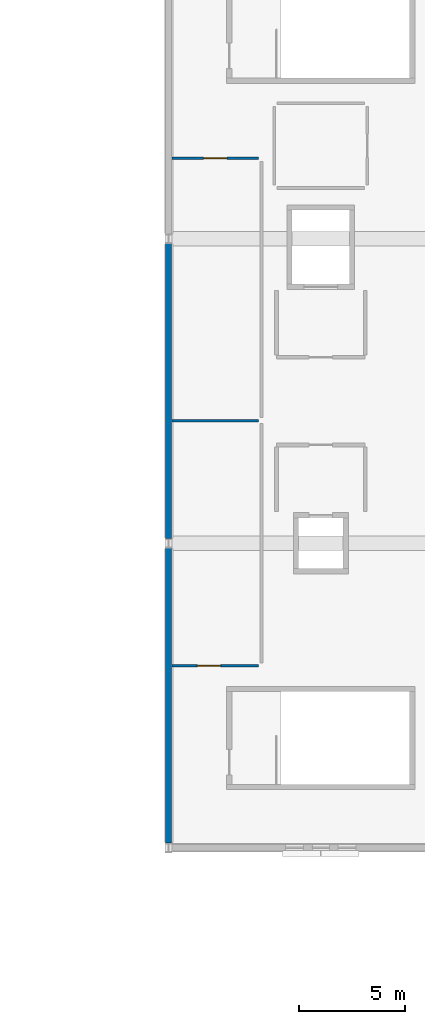
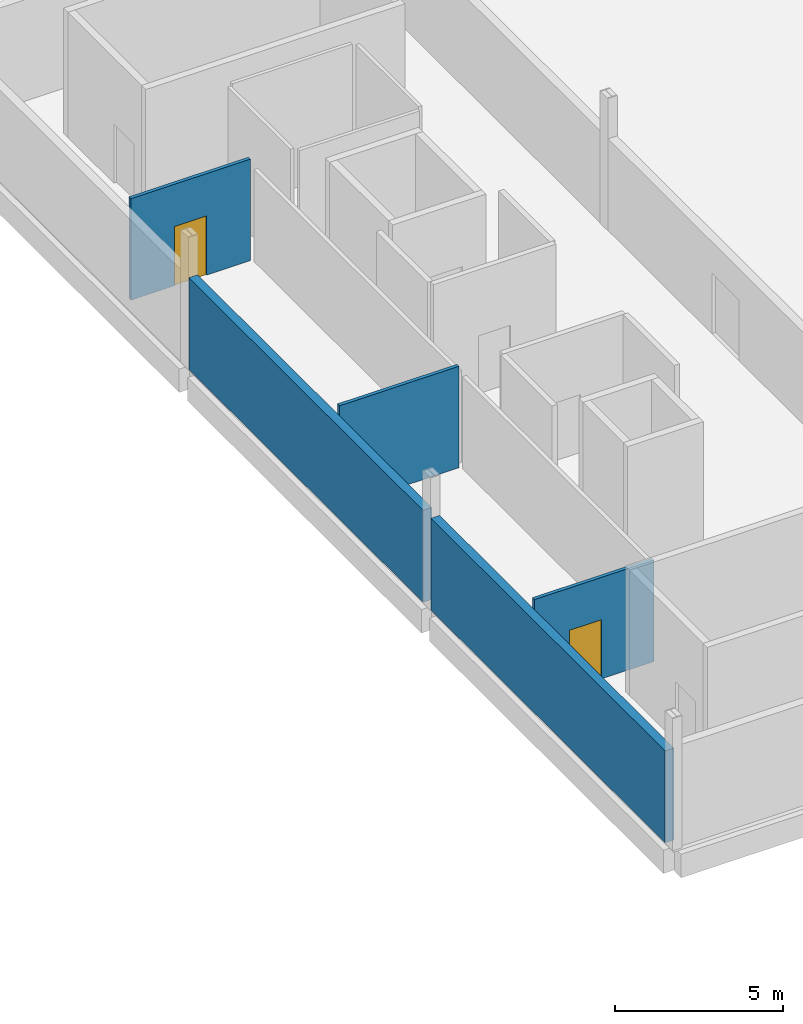
# One storey, part 87 of 116: 5 walls, 2 doors, 2 openings.
"""IFC4 building model written with IfcOpenShell, lengths in metres."""

import ifcopenshell
import ifcopenshell.guid

model = None  # the IFC model being written
_history = None  # IfcOwnerHistory: only IFC2X3 demands one
_inside = {}  # id of a spatial element -> (the spatial element, [elements in it])
_under = {}  # id of a project, library or spatial element -> (it, [spatial elements below it])
_declared = {}  # id of a project -> (the project, [libraries it declares])
_typed = {}  # id of a type object -> (the type object, [elements of that type])
_made_of = {}  # id of a material, layer set ... -> (it, [elements and type objects made of it])


def new_model(schema):
    """Start an empty IFC model of exactly this schema.

    Asked for "IFC4X3", IfcOpenShell would pick the latest addendum, in which some entities
    have other attributes; the version numbers below select the first issue.
    IFC2X3 requires an IfcOwnerHistory on every rooted entity: one is made here for all.
    """
    global model, _history
    if schema == "IFC4X3":
        model = ifcopenshell.file(schema_version=(4, 3, 0, 0))
    else:
        model = ifcopenshell.file(schema=schema)
    _inside.clear()
    _under.clear()
    _declared.clear()
    _typed.clear()
    _made_of.clear()
    _history = None
    if model.schema == "IFC2X3":
        org = make("IfcOrganization", Name="unknown")
        user = make(
            "IfcPersonAndOrganization",
            ThePerson=make("IfcPerson", FamilyName="unknown"),
            TheOrganization=org,
        )
        app = make(
            "IfcApplication",
            ApplicationDeveloper=org,
            Version="unknown",
            ApplicationFullName="unknown",
            ApplicationIdentifier="unknown",
        )
        _history = make(
            "IfcOwnerHistory",
            OwningUser=user,
            OwningApplication=app,
            ChangeAction="ADDED",
            CreationDate=0,
        )
    return model


def make(cls, **values):
    """One entity of the class cls with the attributes given. An attribute that is None is left unset."""
    return model.create_entity(
        cls, **{name: value for name, value in values.items() if value is not None}
    )


def rooted(cls, **values):
    """An entity with a GlobalId (a new one), such as an element, a storey or a relation."""
    return make(cls, GlobalId=ifcopenshell.guid.new(), OwnerHistory=_history, **values)


def si_unit(unit_type, name, prefix=None):
    """IfcSIUnit, for example si_unit("LENGTHUNIT", "METRE", prefix="MILLI")."""
    return make("IfcSIUnit", UnitType=unit_type, Prefix=prefix, Name=name)


def assignment(units):
    """IfcUnitAssignment: the units of a project."""
    return None if units is None else make("IfcUnitAssignment", Units=units)


def point(xyz):
    """IfcCartesianPoint."""
    return None if xyz is None else make("IfcCartesianPoint", Coordinates=xyz)


def direction(xyz):
    """IfcDirection."""
    return None if xyz is None else make("IfcDirection", DirectionRatios=xyz)


def frame(location, z_axis=None, x_axis=None):
    """IfcAxis2Placement3D, a coordinate frame: its origin and axes. An axis left out is left unset."""
    return make(
        "IfcAxis2Placement3D",
        Location=point(location),
        Axis=direction(z_axis),
        RefDirection=direction(x_axis),
    )


def frame_2d(location, x_axis=None):
    """IfcAxis2Placement2D, a coordinate frame in the plane: its origin and x axis."""
    return make(
        "IfcAxis2Placement2D", Location=point(location), RefDirection=direction(x_axis)
    )


def origin():
    """The frame at (0, 0, 0) with its axes left unset."""
    return frame((0.0, 0.0, 0.0))


def place(relative_to, where):
    """IfcLocalPlacement: puts the frame where relative to a parent placement (None: the world)."""
    return make(
        "IfcLocalPlacement", PlacementRelTo=relative_to, RelativePlacement=where
    )


def context(
    kind, dimensions, precision=None, world=None, true_north=None, identifier=None
):
    """IfcGeometricRepresentationContext, for example the 3D "Model" context."""
    return make(
        "IfcGeometricRepresentationContext",
        ContextIdentifier=identifier,
        ContextType=kind,
        CoordinateSpaceDimension=dimensions,
        Precision=precision,
        WorldCoordinateSystem=world,
        TrueNorth=true_north,
    )


def subcontext(parent, identifier, kind, view, scale=None):
    """IfcGeometricRepresentationSubContext, for example "Body" below "Model"."""
    return make(
        "IfcGeometricRepresentationSubContext",
        ContextIdentifier=identifier,
        ContextType=kind,
        ParentContext=parent,
        TargetScale=scale,
        TargetView=view,
    )


def project(units=None, contexts=None):
    """IfcProject with its units and contexts."""
    return rooted(
        "IfcProject",
        Name="project",
        RepresentationContexts=contexts,
        UnitsInContext=assignment(units),
    )


def spatial(cls, under=None, at=None, **own):
    """A site, building, storey or space (cls), placed at a placement, below another one or the project."""
    s = rooted(cls, ObjectPlacement=at, **own)
    if under is not None:
        _under.setdefault(under.id(), (under, []))[1].append(s)
    return s


def profile(cls, at=None, kind="AREA", **sizes):
    """A parametric profile (cls). Its sizes go by their IFC names, for example OverallWidth=200.0."""
    return make(cls, ProfileType=kind, Position=at, **sizes)


def rectangle(**sizes):
    """IfcRectangleProfileDef."""
    return profile("IfcRectangleProfileDef", **sizes)


def extrude(swept, where, along, depth):
    """IfcExtrudedAreaSolid: the profile swept, set in the frame where, extruded along a direction by depth."""
    return make(
        "IfcExtrudedAreaSolid",
        SweptArea=swept,
        Position=where,
        ExtrudedDirection=direction(along),
        Depth=depth,
    )


def shape(context_of_items, identifier, shape_type, items):
    """IfcShapeRepresentation: the items that make up one representation, for example the "Body"."""
    return make(
        "IfcShapeRepresentation",
        ContextOfItems=context_of_items,
        RepresentationIdentifier=identifier,
        RepresentationType=shape_type,
        Items=items,
    )


def material(Name=None, Category=None):
    """IfcMaterial."""
    return make("IfcMaterial", Name=Name, Category=Category)


def layer(
    of_material, thickness, ventilated=None, Name=None, Category=None, Priority=None
):
    """IfcMaterialLayer: one layer of a wall or slab, of a material (None: an air gap)."""
    return make(
        "IfcMaterialLayer",
        Material=of_material,
        LayerThickness=thickness,
        IsVentilated=ventilated,
        Name=Name,
        Category=Category,
        Priority=Priority,
    )


def layer_set(layers, Name=None):
    """IfcMaterialLayerSet."""
    return make("IfcMaterialLayerSet", MaterialLayers=layers, LayerSetName=Name)


def made_of(thing, what):
    """Note that an element or type object is made of a material, layer set ...; save() writes the relation."""
    if what is not None:
        _made_of.setdefault(what.id(), (what, []))[1].append(thing)
    return thing


def type_object(cls, material=None, **own):
    """A type object (cls), such as IfcWallType, which elements share."""
    return made_of(rooted(cls, **own), material)


def element(
    cls,
    number,
    at=None,
    inside=None,
    cuts=None,
    type_object=None,
    material=None,
    context=None,
    identifier="Body",
    shape_type=None,
    held_by="IfcProductDefinitionShape",
    body=None,
    shapes=None,
    **own,
):
    """One element of the class cls, such as IfcWall. Its Tag is "e" and its number.

    at: its placement. inside: the storey or other place that contains it. cuts: it is an
    opening in that element (IfcRelVoidsElement). A single representation is given by context,
    identifier, shape_type and body (its items); several are given by shapes. held_by: the class
    of the entity that holds the representations. save() writes the other relations.
    """
    e = rooted(cls, Tag="e%d" % number, ObjectPlacement=at, **own)
    if body is not None:
        shapes = [shape(context, identifier, shape_type, body)]
    if shapes is not None:
        e.Representation = make(held_by, Representations=shapes)
    if inside is not None:
        _inside.setdefault(inside.id(), (inside, []))[1].append(e)
    if cuts is not None:
        rooted(
            "IfcRelVoidsElement", RelatingBuildingElement=cuts, RelatedOpeningElement=e
        )
    if type_object is not None:
        _typed.setdefault(type_object.id(), (type_object, []))[1].append(e)
    return made_of(e, material)


def fill(opening, filler):
    """IfcRelFillsElement: the door or window that sits in an opening."""
    return rooted(
        "IfcRelFillsElement",
        RelatingOpeningElement=opening,
        RelatedBuildingElement=filler,
    )


def aggregate(whole, parts):
    """IfcRelAggregates: a whole, such as a stair, and the parts it consists of."""
    return rooted("IfcRelAggregates", RelatingObject=whole, RelatedObjects=parts)


def save(model, path):
    """Write the relations noted so far, then the file.

    IfcRelAggregates (storeys below a building ...), IfcRelContainedInSpatialStructure (elements
    in a storey), IfcRelDefinesByType, IfcRelAssociatesMaterial and IfcRelDeclares: one each for
    every whole, place, type object, material and project.
    """
    for whole, parts in _under.values():
        aggregate(whole, parts)
    for where, things in _inside.values():
        rooted(
            "IfcRelContainedInSpatialStructure",
            RelatedElements=things,
            RelatingStructure=where,
        )
    for kind, things in _typed.values():
        rooted("IfcRelDefinesByType", RelatedObjects=things, RelatingType=kind)
    for what, things in _made_of.values():
        rooted("IfcRelAssociatesMaterial", RelatedObjects=things, RelatingMaterial=what)
    for by, libraries in _declared.values():
        rooted("IfcRelDeclares", RelatingContext=by, RelatedDefinitions=libraries)
    model.write(path)


model = new_model("IFC4")

# Units and contexts
model_context = context("Model", 3, precision=1e-05, world=origin(), true_north=direction((0.0, 1.0)))
body_context = subcontext(model_context, "Body", "Model", "MODEL_VIEW")
ifc_project = project(units=[si_unit("LENGTHUNIT", "METRE"), si_unit("AREAUNIT", "SQUARE_METRE"), si_unit("VOLUMEUNIT", "CUBIC_METRE"), si_unit("PLANEANGLEUNIT", "RADIAN"), si_unit("MASSUNIT", "GRAM", prefix="KILO")], contexts=[model_context])

# Site, building, storey
site_placement = place(None, origin())
site = spatial("IfcSite", under=ifc_project, at=site_placement, CompositionType="ELEMENT")
building_placement = place(site_placement, origin())
building = spatial("IfcBuilding", under=site, at=building_placement, Name="Cendralis Lancet Convention Centre", CompositionType="ELEMENT")
storey_placement = place(building_placement, frame((0.0, 0.0, 15.0)))
storey = spatial("IfcBuildingStorey", under=building, at=storey_placement, Name="L03", CompositionType="ELEMENT", Elevation=15.0)

# Walls
ifc_material_1 = material(Name="Buff sandstone ashlar and Concrete G40 (C40/50)", Category="masonry")
ifc_layer_1 = layer(ifc_material_1, 0.300048828125, Name="Buff sandstone ashlar and Concrete G40 (C40/50)")
ifc_layer_set_1 = layer_set([ifc_layer_1], Name="Buff sandstone ashlar and Concrete G40 (C40/50)")
wall_type_1 = type_object("IfcWallType", Name="ARC-EW-W300", PredefinedType="STANDARD", material=ifc_layer_set_1)
for number, where, z_axis, x_axis, name in (
    (1, (124.800048828125, 93.8330078125, 0.0), (0.0, 0.0, 1.0), (0.0, 1.0, 0.0), "L03 V3 Exterior Wall EW-07 #0171"),
    (2, (124.800048828125, 108.23291015625, 0.0), (0.0, 0.0, 1.0), (0.0, 1.0, 0.0), "L03 V3 Exterior Wall EW-07 #0173"),
):
    element("IfcWall", number, at=place(storey_placement, frame(where, z_axis=z_axis, x_axis=x_axis)), inside=storey, type_object=wall_type_1, Name=name, PredefinedType="STANDARD", context=body_context, shape_type="SweptSolid", body=[
        extrude(rectangle(XDim=13.93408203125, YDim=0.300048828125, at=frame_2d((6.967041015625, 0.0))), origin(), (0.0, 0.0, 1.0), 3.3349609375),
    ])

# Wall, opening, door
ifc_material_2 = material(Name="Acoustic fire-rated gypsum board on steel studs", Category="steel")
ifc_layer_2 = layer(ifc_material_2, 0.1201171875, Name="Acoustic fire-rated gypsum board on steel studs")
ifc_layer_set_2 = layer_set([ifc_layer_2], Name="Acoustic fire-rated gypsum board on steel studs")
wall_type_2 = type_object("IfcWallType", Name="ARC-IW-P120", PredefinedType="PARTITIONING", material=ifc_layer_set_2)
wall_1_placement = place(storey_placement, frame((124.9599609375, 102.199951171875, 0.0), z_axis=(0.0, 0.0, 1.0), x_axis=(1.0, 0.0, 0.0)))
wall_1 = element("IfcWall", 3, at=wall_1_placement, inside=storey, type_object=wall_type_2, Name="L03 Interior Partition IW-05 #0193", PredefinedType="PARTITIONING", context=body_context, shape_type="SweptSolid", body=[
    extrude(rectangle(XDim=4.10009765625, YDim=0.1201171875, at=frame_2d((2.050048828125, 0.0))), origin(), (0.0, 0.0, 1.0), 3.68505859375),
])
opening_1_placement = place(wall_1_placement, frame((1.199951171875, 0.0, 0.0)))
opening_1 = element("IfcOpeningElement", 4, at=opening_1_placement, cuts=wall_1, Name="Opening FD-11", PredefinedType="OPENING", context=body_context, shape_type="SweptSolid", body=[
    extrude(rectangle(XDim=1.10009765625, YDim=2.14990234375, at=frame_2d((0.550048828125, 1.074951171875))), frame((0.0, 0.070068359375, 0.0), z_axis=(0.0, -1.0, 0.0), x_axis=(1.0, 0.0, 0.0)), (0.0, 0.0, 1.0), 0.14013671875),
])
ifc_material_3 = material(Name="Steel S355", Category="steel")
door_type = type_object("IfcDoorType", Name="ARC-DR-FF11", OperationType="NOTDEFINED", PredefinedType="DOOR", material=ifc_material_3)
door_1_placement = place(opening_1_placement, origin())
door_1 = element("IfcDoor", 5, at=door_1_placement, inside=storey, type_object=door_type, Name="L03-D010 L03 Interior Door FD-11 #0064", OperationType="SINGLE_SWING_LEFT", OverallHeight=2.14990234375, OverallWidth=1.10009765625, PredefinedType="DOOR", context=body_context, shape_type="SweptSolid", body=[
    extrude(rectangle(XDim=1.10009765625, YDim=2.14990234375, at=frame_2d((0.550048828125, 1.074951171875))), frame((0.0, 0.02490234375, 0.0), z_axis=(0.0, -1.0, 0.0), x_axis=(1.0, 0.0, 0.0)), (0.0, 0.0, 1.0), 0.050048828125),
])
fill(opening_1, door_1)

# Wall
wall_2_placement = place(storey_placement, frame((124.9599609375, 113.800048828125, 0.0), z_axis=(0.0, 0.0, 1.0), x_axis=(1.0, 0.0, 0.0)))
element("IfcWall", 6, at=wall_2_placement, inside=storey, type_object=wall_type_2, Name="L03 Interior Partition IW-05 #0194", PredefinedType="PARTITIONING", context=body_context, shape_type="SweptSolid", body=[
    extrude(rectangle(XDim=4.10009765625, YDim=0.1201171875, at=frame_2d((2.050048828125, 0.0))), origin(), (0.0, 0.0, 1.0), 3.68505859375),
])

# Wall, opening, door
wall_3_placement = place(storey_placement, frame((124.9599609375, 126.199951171875, 0.0), z_axis=(0.0, 0.0, 1.0), x_axis=(1.0, 0.0, 0.0)))
wall_3 = element("IfcWall", 7, at=wall_3_placement, inside=storey, type_object=wall_type_2, Name="L03 Interior Partition IW-05 #0196", PredefinedType="PARTITIONING", context=body_context, shape_type="SweptSolid", body=[
    extrude(rectangle(XDim=4.10009765625, YDim=0.1201171875, at=frame_2d((2.050048828125, 0.0))), origin(), (0.0, 0.0, 1.0), 3.68505859375),
])
opening_2_placement = place(wall_3_placement, frame((1.5, 0.0, 0.0)))
opening_2 = element("IfcOpeningElement", 8, at=opening_2_placement, cuts=wall_3, Name="Opening FD-11", PredefinedType="OPENING", context=body_context, shape_type="SweptSolid", body=[
    extrude(rectangle(XDim=1.10009765625, YDim=2.14990234375, at=frame_2d((0.550048828125, 1.074951171875))), frame((0.0, 0.070068359375, 0.0), z_axis=(0.0, -1.0, 0.0), x_axis=(1.0, 0.0, 0.0)), (0.0, 0.0, 1.0), 0.14013671875),
])
door_2_placement = place(opening_2_placement, frame((1.10009765625, 0.0, 0.0), z_axis=(0.0, 0.0, 1.0), x_axis=(-1.0, 0.0, 0.0)))
door_2 = element("IfcDoor", 9, at=door_2_placement, inside=storey, type_object=door_type, Name="L03-D011 L03 Interior Door FD-11 #0065", OperationType="SINGLE_SWING_RIGHT", OverallHeight=2.14990234375, OverallWidth=1.10009765625, PredefinedType="DOOR", context=body_context, shape_type="SweptSolid", body=[
    extrude(rectangle(XDim=1.10009765625, YDim=2.14990234375, at=frame_2d((0.550048828125, 1.074951171875))), frame((0.0, 0.02490234375, 0.0), z_axis=(0.0, -1.0, 0.0), x_axis=(1.0, 0.0, 0.0)), (0.0, 0.0, 1.0), 0.050048828125),
])
fill(opening_2, door_2)

save(model, "model.ifc")
